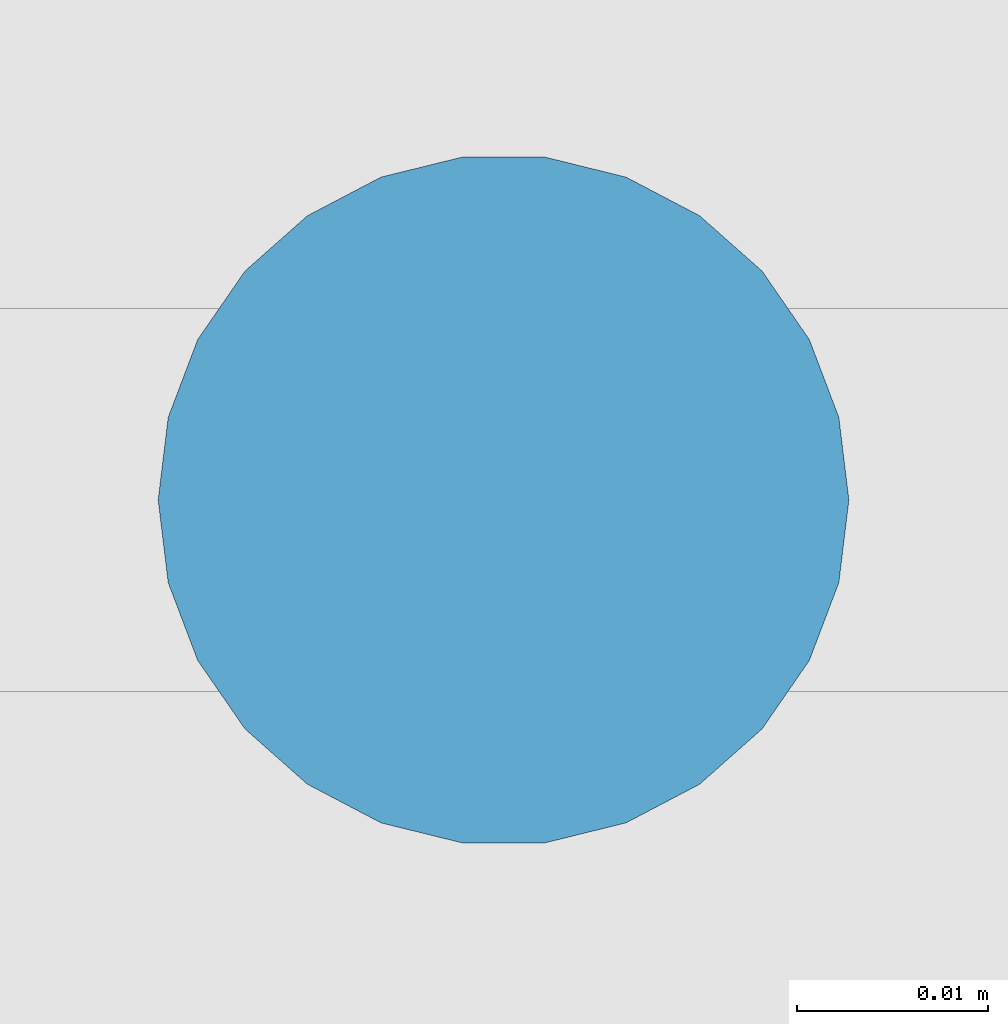
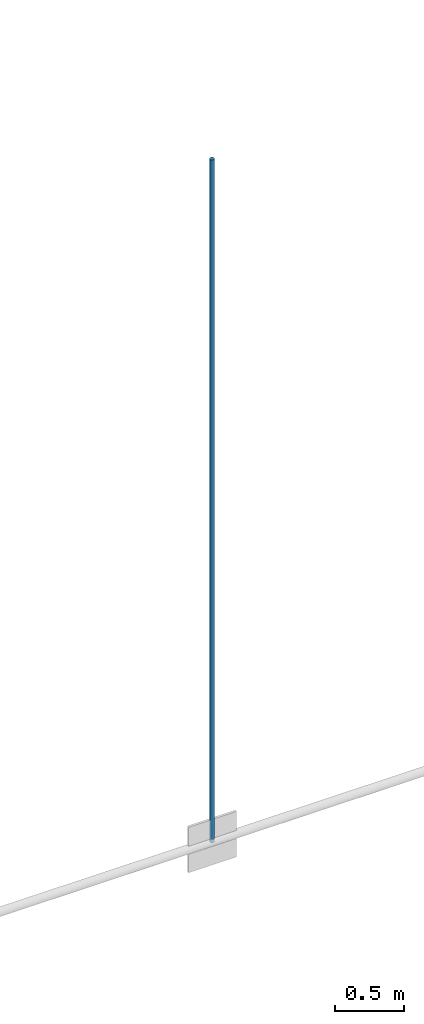
# One storey, part 91 of 321: 1 member.
"""IFC4 building model written with IfcOpenShell, lengths in metres."""

from ifc_helpers import new_model, si_unit, direction, frame, origin, origin_2d, place, context, subcontext, project, spatial, circle, extrude, material, material_profile, profile_set, type_object, element, save


model = new_model("IFC4")

# Units and contexts
model_context = context("Model", 3, precision=1e-05, world=origin(), true_north=direction((0.0, 1.0)))
body_context = subcontext(model_context, "Body", "Model", "MODEL_VIEW")
ifc_project = project(units=[si_unit("LENGTHUNIT", "METRE"), si_unit("AREAUNIT", "SQUARE_METRE"), si_unit("VOLUMEUNIT", "CUBIC_METRE"), si_unit("PLANEANGLEUNIT", "RADIAN"), si_unit("MASSUNIT", "GRAM", prefix="KILO")], contexts=[model_context])

# Site, building, storey
site_placement = place(None, origin())
site = spatial("IfcSite", under=ifc_project, at=site_placement, CompositionType="ELEMENT")
building_placement = place(site_placement, origin())
building = spatial("IfcBuilding", under=site, at=building_placement, Name="Ravi Spectrum Wholesale Market", CompositionType="ELEMENT")
storey_placement = place(building_placement, frame((0.0, 0.0, 10.800048828125)))
storey = spatial("IfcBuildingStorey", under=building, at=storey_placement, Name="L02", CompositionType="ELEMENT", Elevation=10.800048828125)

# Member
ifc_material = material(Name="Steel S355", Category="steel")
ifc_material_profile = material_profile(ifc_material, circle(Radius=0.01806640625, at=origin_2d()))
ifc_profile_set = profile_set([ifc_material_profile], Name="Steel S355")
member_type = type_object("IfcMemberType", Name="ROD 36 hanger", PredefinedType="STRUT", material=ifc_profile_set)
member_placement = place(storey_placement, frame((70.0, 138.0, 0.023193359375), z_axis=(0.0, 0.0, 1.0), x_axis=(1.0, 0.0, 0.0)))
element("IfcMember", 1, at=member_placement, inside=storey, type_object=member_type, Name="H1-MB-L02-808", PredefinedType="STRUT", context=body_context, shape_type="SweptSolid", body=[
    extrude(circle(Radius=0.01806640625, at=origin_2d()), origin(), (0.0, 0.0, 1.0), 6.002197265625),
])

save(model, "model.ifc")
